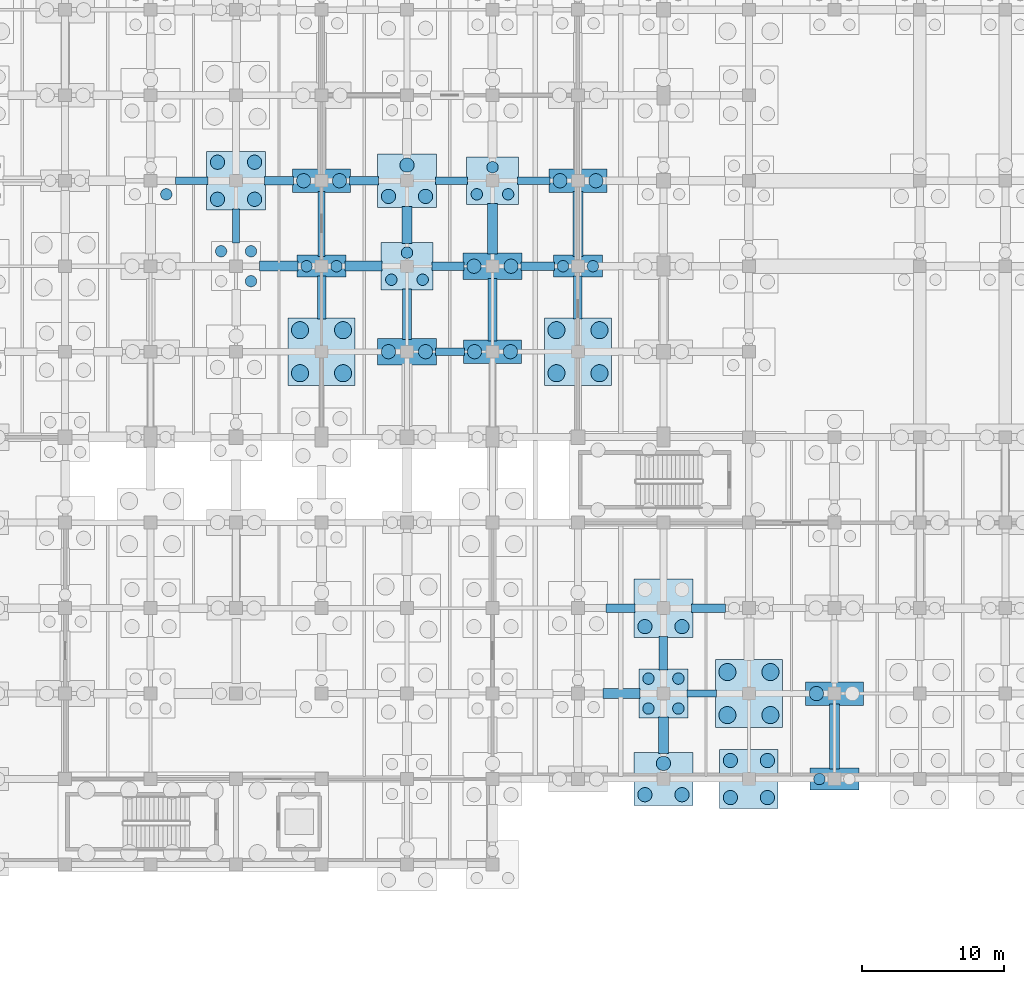
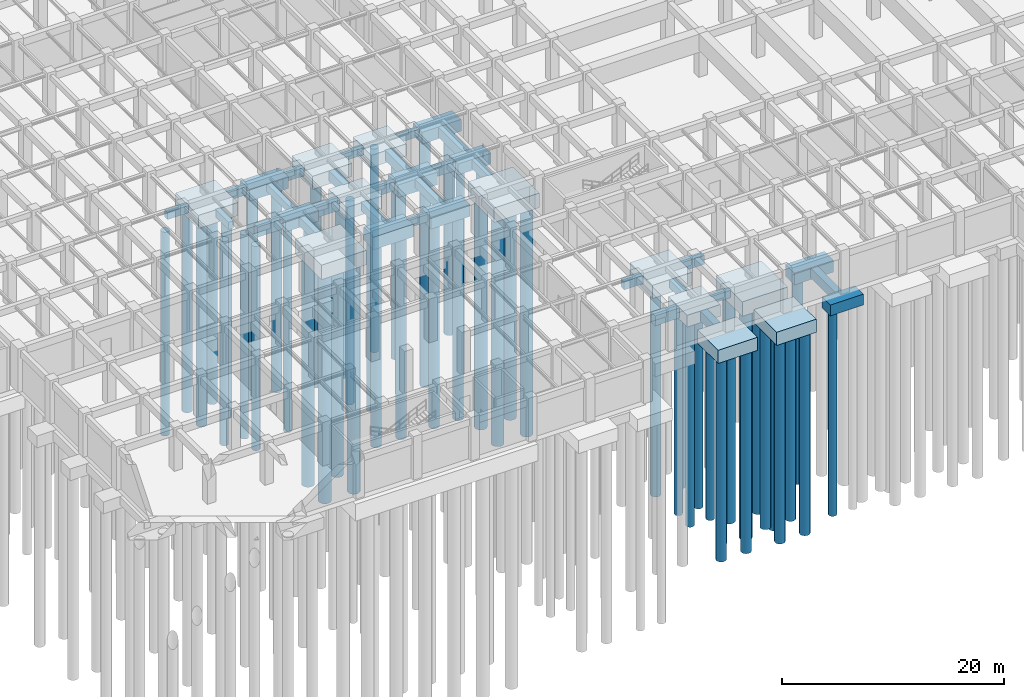
# One storey, part 4 of 54: 58 piles, 46 footings.
"""IFC4 building model written with IfcOpenShell, lengths in metres."""

from ifc_helpers import new_model, si_unit, direction, frame, origin, origin_2d, place, context, subcontext, project, spatial, rectangle, circle, extrude, material, material_profile, profile_set, type_object, element, save


model = new_model("IFC4")

# Units and contexts
model_context = context("Model", 3, precision=1e-05, world=origin(), true_north=direction((0.0, 1.0)))
body_context = subcontext(model_context, "Body", "Model", "MODEL_VIEW")
ifc_project = project(units=[si_unit("LENGTHUNIT", "METRE"), si_unit("AREAUNIT", "SQUARE_METRE"), si_unit("VOLUMEUNIT", "CUBIC_METRE"), si_unit("PLANEANGLEUNIT", "RADIAN"), si_unit("MASSUNIT", "GRAM", prefix="KILO"), si_unit("THERMODYNAMICTEMPERATUREUNIT", "KELVIN"), si_unit("POWERUNIT", "WATT")], contexts=[model_context])

# Site, building, storey
site_placement = place(None, origin())
site = spatial("IfcSite", under=ifc_project, at=site_placement, CompositionType="ELEMENT")
building_placement = place(site_placement, origin())
building = spatial("IfcBuilding", under=site, at=building_placement, Name="Phaisarnlok Congress Hotel", CompositionType="ELEMENT")
storey_placement = place(building_placement, frame((0.0, 0.0, -4.800048828125)))
storey = spatial("IfcBuildingStorey", under=building, at=storey_placement, Name="B01", CompositionType="ELEMENT", Elevation=-4.800048828125)

# Footings
ifc_material_1 = material(Name="Concrete C40/50", Category="concrete")
footing_type_1 = type_object("IfcFootingType", Name="CAP-2P-A", PredefinedType="PILE_CAP", material=ifc_material_1)
for number, where, z_axis, x_axis, name in (
    (1, (42.0, 54.0, -1.69970703125), (0.0, 0.0, 1.0), (1.0, 0.0, 0.0), "Pile cap PC-01 at (42,54)"),
    (2, (60.0, 54.0, -1.69970703125), (0.0, 0.0, 1.0), (1.0, 0.0, 0.0), "Pile cap PC-01 at (60,54)"),
    (3, (78.0, 18.0, -1.69970703125), (0.0, 0.0, 1.0), (1.0, 0.0, 0.0), "Pile cap PC-01 at (78,18)"),
):
    element("IfcFooting", number, at=place(storey_placement, frame(where, z_axis=z_axis, x_axis=x_axis)), inside=storey, type_object=footing_type_1, Name=name, PredefinedType="PILE_CAP", context=body_context, shape_type="SweptSolid", body=[
        extrude(rectangle(XDim=3.43994140625, YDim=1.5400390625, at=origin_2d()), origin(), (0.0, 0.0, 1.0), 1.199951171875),
    ])
footing_type_2 = type_object("IfcFootingType", Name="CAP-2P-B", PredefinedType="PILE_CAP", material=ifc_material_1)
for number, where, z_axis, x_axis, name in (
    (4, (42.0, 60.0, -1.7998046875), (0.0, 0.0, 1.0), (1.0, 0.0, 0.0), "Pile cap PC-02 at (42,60)"),
    (5, (54.0, 48.0, -1.7998046875), (0.0, 0.0, 1.0), (1.0, 0.0, 0.0), "Pile cap PC-02 at (54,48)"),
    (6, (60.0, 60.0, -1.7998046875), (0.0, 0.0, 1.0), (1.0, 0.0, 0.0), "Pile cap PC-02 at (60,60)"),
    (7, (78.0, 24.0, -1.7998046875), (0.0, 0.0, 1.0), (1.0, 0.0, 0.0), "Pile cap PC-02 at (78,24)"),
):
    element("IfcFooting", number, at=place(storey_placement, frame(where, z_axis=z_axis, x_axis=x_axis)), inside=storey, type_object=footing_type_2, Name=name, PredefinedType="PILE_CAP", context=body_context, shape_type="SweptSolid", body=[
        extrude(rectangle(XDim=4.080078125, YDim=1.639892578125, at=origin_2d()), origin(), (0.0, 0.0, 1.0), 1.300048828125),
    ])
footing_type_3 = type_object("IfcFootingType", Name="CAP-2P-C", PredefinedType="PILE_CAP", material=ifc_material_1)
for number, where, z_axis, x_axis, name in (
    (8, (48.0, 48.0, -1.89990234375), (0.0, 0.0, 1.0), (1.0, 0.0, 0.0), "Pile cap PC-03 at (48,48)"),
    (9, (54.0, 54.0, -1.89990234375), (0.0, 0.0, 1.0), (1.0, 0.0, 0.0), "Pile cap PC-03 at (54,54)"),
):
    element("IfcFooting", number, at=place(storey_placement, frame(where, z_axis=z_axis, x_axis=x_axis)), inside=storey, type_object=footing_type_3, Name=name, PredefinedType="PILE_CAP", context=body_context, shape_type="SweptSolid", body=[
        extrude(rectangle(XDim=4.1201171875, YDim=1.840087890625, at=origin_2d()), origin(), (0.0, 0.0, 1.0), 1.39990234375),
    ])
footing_type_4 = type_object("IfcFootingType", Name="CAP-3P-A", PredefinedType="PILE_CAP", material=ifc_material_1)
for number, where, z_axis, x_axis, name in (
    (10, (48.0, 54.0, -1.85009765625), (0.0, 0.0, 1.0), (1.0, 0.0, 0.0), "Pile cap PC-04 at (48,54)"),
    (11, (54.0, 60.0, -1.85009765625), (0.0, 0.0, 1.0), (1.0, 0.0, 0.0), "Pile cap PC-04 at (54,60)"),
):
    element("IfcFooting", number, at=place(storey_placement, frame(where, z_axis=z_axis, x_axis=x_axis)), inside=storey, type_object=footing_type_4, Name=name, PredefinedType="PILE_CAP", context=body_context, shape_type="SweptSolid", body=[
        extrude(rectangle(XDim=3.639892578125, YDim=3.340087890625, at=origin_2d()), origin(), (0.0, 0.0, 1.0), 1.35009765625),
    ])
footing_type_5 = type_object("IfcFootingType", Name="CAP-3P-B", PredefinedType="PILE_CAP", material=ifc_material_1)
for number, where, z_axis, x_axis, name in (
    (12, (48.0, 60.0, -1.94970703125), (0.0, 0.0, 1.0), (1.0, 0.0, 0.0), "Pile cap PC-05 at (48,60)"),
    (13, (66.0, 18.0, -1.94970703125), (0.0, 0.0, 1.0), (1.0, 0.0, 0.0), "Pile cap PC-05 at (66,18)"),
):
    element("IfcFooting", number, at=place(storey_placement, frame(where, z_axis=z_axis, x_axis=x_axis)), inside=storey, type_object=footing_type_5, Name=name, PredefinedType="PILE_CAP", context=body_context, shape_type="SweptSolid", body=[
        extrude(rectangle(XDim=4.1201171875, YDim=3.739990234375, at=origin_2d()), origin(), (0.0, 0.0, 1.0), 1.449951171875),
    ])
footing_type_6 = type_object("IfcFootingType", Name="CAP-4P-A", PredefinedType="PILE_CAP", material=ifc_material_1)
footing_1_placement = place(storey_placement, frame((66.0, 24.0, -1.7998046875), z_axis=(0.0, 0.0, 1.0), x_axis=(1.0, 0.0, 0.0)))
element("IfcFooting", 14, at=footing_1_placement, inside=storey, type_object=footing_type_6, Name="Pile cap PC-06 at (66,24)", PredefinedType="PILE_CAP", context=body_context, shape_type="SweptSolid", body=[
    extrude(rectangle(XDim=3.43994140625, YDim=3.43994140625, at=origin_2d()), origin(), (0.0, 0.0, 1.0), 1.300048828125),
])
footing_type_7 = type_object("IfcFootingType", Name="CAP-4P-B", PredefinedType="PILE_CAP", material=ifc_material_1)
for number, where, z_axis, x_axis, name in (
    (15, (36.0, 60.0, -1.94970703125), (0.0, 0.0, 1.0), (1.0, 0.0, 0.0), "Pile cap PC-07 at (36,60)"),
    (16, (66.0, 30.0, -1.94970703125), (0.0, 0.0, 1.0), (1.0, 0.0, 0.0), "Pile cap PC-07 at (66,30)"),
    (17, (72.0, 18.0, -1.94970703125), (0.0, 0.0, 1.0), (1.0, 0.0, 0.0), "Pile cap PC-07 at (72,18)"),
):
    element("IfcFooting", number, at=place(storey_placement, frame(where, z_axis=z_axis, x_axis=x_axis)), inside=storey, type_object=footing_type_7, Name=name, PredefinedType="PILE_CAP", context=body_context, shape_type="SweptSolid", body=[
        extrude(rectangle(XDim=4.1201171875, YDim=4.1201171875, at=origin_2d()), origin(), (0.0, 0.0, 1.0), 1.449951171875),
    ])
footing_type_8 = type_object("IfcFootingType", Name="CAP-4P-C", PredefinedType="PILE_CAP", material=ifc_material_1)
for number, where, z_axis, x_axis, name in (
    (18, (42.0, 48.0, -2.10009765625), (0.0, 0.0, 1.0), (1.0, 0.0, 0.0), "Pile cap PC-08 at (42,48)"),
    (19, (60.0, 48.0, -2.10009765625), (0.0, 0.0, 1.0), (1.0, 0.0, 0.0), "Pile cap PC-08 at (60,48)"),
    (20, (72.0, 24.0, -2.10009765625), (0.0, 0.0, 1.0), (1.0, 0.0, 0.0), "Pile cap PC-08 at (72,24)"),
):
    element("IfcFooting", number, at=place(storey_placement, frame(where, z_axis=z_axis, x_axis=x_axis)), inside=storey, type_object=footing_type_8, Name=name, PredefinedType="PILE_CAP", context=body_context, shape_type="SweptSolid", body=[
        extrude(rectangle(XDim=4.719970703125, YDim=4.760009765625, at=origin_2d()), origin(), (0.0, 0.0, 1.0), 1.60009765625),
    ])
ifc_material_profile_1 = material_profile(ifc_material_1, rectangle(XDim=0.5, YDim=0.800048828125, at=origin_2d()), Name="FB-500x800")
ifc_profile_set_1 = profile_set([ifc_material_profile_1], Name="Concrete C40/50")
footing_type_9 = type_object("IfcFootingType", Name="FB-500x800", PredefinedType="FOOTING_BEAM", material=ifc_profile_set_1)
footing_2_placement = place(storey_placement, frame((31.7451171875, 60.0, -0.89990234375), z_axis=(1.0, 0.0, 0.0), x_axis=(0.0, 1.0, 0.0)))
element("IfcFooting", 21, at=footing_2_placement, inside=storey, type_object=footing_type_9, Name="Ground tie beam FB-01", PredefinedType="FOOTING_BEAM", context=body_context, shape_type="SweptSolid", body=[
    extrude(rectangle(XDim=0.5, YDim=0.800048828125, at=origin_2d()), origin(), (0.0, 0.0, 1.0), 2.269775390625),
])
footing_3_placement = place(storey_placement, frame((36.0, 55.64501953125, -0.89990234375), z_axis=(0.0, 1.0, 0.0), x_axis=(-1.0, 0.0, 0.0)))
element("IfcFooting", 22, at=footing_3_placement, inside=storey, type_object=footing_type_9, Name="Ground tie beam FB-01", PredefinedType="FOOTING_BEAM", context=body_context, shape_type="SweptSolid", body=[
    extrude(rectangle(XDim=0.5, YDim=0.800048828125, at=origin_2d()), origin(), (0.0, 0.0, 1.0), 2.369873046875),
])
footing_4_placement = place(storey_placement, frame((42.0, 54.695068359375, -0.89990234375), z_axis=(0.0, 1.0, 0.0), x_axis=(-1.0, 0.0, 0.0)))
element("IfcFooting", 23, at=footing_4_placement, inside=storey, type_object=footing_type_9, Name="Ground tie beam FB-01", PredefinedType="FOOTING_BEAM", context=body_context, shape_type="SweptSolid", body=[
    extrude(rectangle(XDim=0.5, YDim=0.800048828125, at=origin_2d()), origin(), (0.0, 0.0, 1.0), 4.559814453125),
])
footing_5_placement = place(storey_placement, frame((49.985107421875, 48.0, -0.89990234375), z_axis=(1.0, 0.0, 0.0), x_axis=(0.0, 1.0, 0.0)))
element("IfcFooting", 24, at=footing_5_placement, inside=storey, type_object=footing_type_9, Name="Ground tie beam FB-01", PredefinedType="FOOTING_BEAM", context=body_context, shape_type="SweptSolid", body=[
    extrude(rectangle(XDim=0.5, YDim=0.800048828125, at=origin_2d()), origin(), (0.0, 0.0, 1.0), 2.0498046875),
])
footing_6_placement = place(storey_placement, frame((49.985107421875, 60.0, -0.89990234375), z_axis=(1.0, 0.0, 0.0), x_axis=(0.0, 1.0, 0.0)))
element("IfcFooting", 25, at=footing_6_placement, inside=storey, type_object=footing_type_9, Name="Ground tie beam FB-01", PredefinedType="FOOTING_BEAM", context=body_context, shape_type="SweptSolid", body=[
    extrude(rectangle(XDim=0.5, YDim=0.800048828125, at=origin_2d()), origin(), (0.0, 0.0, 1.0), 2.269775390625),
])
footing_7_placement = place(storey_placement, frame((55.7451171875, 60.0, -0.89990234375), z_axis=(1.0, 0.0, 0.0), x_axis=(0.0, 1.0, 0.0)))
element("IfcFooting", 26, at=footing_7_placement, inside=storey, type_object=footing_type_9, Name="Ground tie beam FB-01", PredefinedType="FOOTING_BEAM", context=body_context, shape_type="SweptSolid", body=[
    extrude(rectangle(XDim=0.5, YDim=0.800048828125, at=origin_2d()), origin(), (0.0, 0.0, 1.0), 2.289794921875),
])
footing_8_placement = place(storey_placement, frame((67.64501953125, 24.0, -0.89990234375), z_axis=(1.0, 0.0, 0.0), x_axis=(0.0, 1.0, 0.0)))
element("IfcFooting", 27, at=footing_8_placement, inside=storey, type_object=footing_type_9, Name="Ground tie beam FB-01", PredefinedType="FOOTING_BEAM", context=body_context, shape_type="SweptSolid", body=[
    extrude(rectangle(XDim=0.5, YDim=0.800048828125, at=origin_2d()), origin(), (0.0, 0.0, 1.0), 2.070068359375),
])
ifc_material_profile_2 = material_profile(ifc_material_1, rectangle(XDim=0.60009765625, YDim=1.0, at=origin_2d()), Name="FB-600x1000")
ifc_profile_set_2 = profile_set([ifc_material_profile_2], Name="Concrete C40/50")
footing_type_10 = type_object("IfcFootingType", Name="FB-600x1000", PredefinedType="FOOTING_BEAM", material=ifc_profile_set_2)
footing_9_placement = place(storey_placement, frame((42.0, 50.304931640625, -1.0), z_axis=(0.0, 1.0, 0.0), x_axis=(-1.0, 0.0, 0.0)))
element("IfcFooting", 28, at=footing_9_placement, inside=storey, type_object=footing_type_10, Name="Ground tie beam FB-03", PredefinedType="FOOTING_BEAM", context=body_context, shape_type="SweptSolid", body=[
    extrude(rectangle(XDim=0.60009765625, YDim=1.0, at=origin_2d()), origin(), (0.0, 0.0, 1.0), 3.0),
])
footing_10_placement = place(storey_placement, frame((49.7451171875, 54.0, -1.0), z_axis=(1.0, 0.0, 0.0), x_axis=(0.0, 1.0, 0.0)))
element("IfcFooting", 29, at=footing_10_placement, inside=storey, type_object=footing_type_10, Name="Ground tie beam FB-03", PredefinedType="FOOTING_BEAM", context=body_context, shape_type="SweptSolid", body=[
    extrude(rectangle(XDim=0.60009765625, YDim=1.0, at=origin_2d()), origin(), (0.0, 0.0, 1.0), 2.269775390625),
])
footing_11_placement = place(storey_placement, frame((55.985107421875, 54.0, -1.0), z_axis=(1.0, 0.0, 0.0), x_axis=(0.0, 1.0, 0.0)))
element("IfcFooting", 30, at=footing_11_placement, inside=storey, type_object=footing_type_10, Name="Ground tie beam FB-03", PredefinedType="FOOTING_BEAM", context=body_context, shape_type="SweptSolid", body=[
    extrude(rectangle(XDim=0.60009765625, YDim=1.0, at=origin_2d()), origin(), (0.0, 0.0, 1.0), 2.369873046875),
])
footing_12_placement = place(storey_placement, frame((60.0, 50.304931640625, -1.0), z_axis=(0.0, 1.0, 0.0), x_axis=(-1.0, 0.0, 0.0)))
element("IfcFooting", 31, at=footing_12_placement, inside=storey, type_object=footing_type_10, Name="Ground tie beam FB-03", PredefinedType="FOOTING_BEAM", context=body_context, shape_type="SweptSolid", body=[
    extrude(rectangle(XDim=0.60009765625, YDim=1.0, at=origin_2d()), origin(), (0.0, 0.0, 1.0), 3.0),
])
footing_13_placement = place(storey_placement, frame((67.985107421875, 30.0, -1.0), z_axis=(1.0, 0.0, 0.0), x_axis=(0.0, 1.0, 0.0)))
element("IfcFooting", 32, at=footing_13_placement, inside=storey, type_object=footing_type_10, Name="Ground tie beam FB-03", PredefinedType="FOOTING_BEAM", context=body_context, shape_type="SweptSolid", body=[
    extrude(rectangle(XDim=0.60009765625, YDim=1.0, at=origin_2d()), origin(), (0.0, 0.0, 1.0), 2.369873046875),
])
ifc_material_profile_3 = material_profile(ifc_material_1, rectangle(XDim=0.60009765625, YDim=0.89990234375, at=origin_2d()), Name="FB-600x900")
ifc_profile_set_3 = profile_set([ifc_material_profile_3], Name="Concrete C40/50")
footing_type_11 = type_object("IfcFootingType", Name="FB-600x900", PredefinedType="FOOTING_BEAM", material=ifc_profile_set_3)
for number, where, z_axis, x_axis, name in (
    (33, (37.985107421875, 60.0, -0.949951171875), (1.0, 0.0, 0.0), (0.0, 1.0, 0.0), "Ground tie beam FB-02"),
    (34, (43.965087890625, 60.0, -0.949951171875), (1.0, 0.0, 0.0), (0.0, 1.0, 0.0), "Ground tie beam FB-02"),
):
    element("IfcFooting", number, at=place(storey_placement, frame(where, z_axis=z_axis, x_axis=x_axis)), inside=storey, type_object=footing_type_11, Name=name, PredefinedType="FOOTING_BEAM", context=body_context, shape_type="SweptSolid", body=[
        extrude(rectangle(XDim=0.60009765625, YDim=0.89990234375, at=origin_2d()), origin(), (0.0, 0.0, 1.0), 2.0498046875),
    ])
footing_14_placement = place(storey_placement, frame((48.0, 48.844970703125, -0.949951171875), z_axis=(0.0, 1.0, 0.0), x_axis=(-1.0, 0.0, 0.0)))
element("IfcFooting", 35, at=footing_14_placement, inside=storey, type_object=footing_type_11, Name="Ground tie beam FB-02", PredefinedType="FOOTING_BEAM", context=body_context, shape_type="SweptSolid", body=[
    extrude(rectangle(XDim=0.60009765625, YDim=0.89990234375, at=origin_2d()), origin(), (0.0, 0.0, 1.0), 3.56005859375),
])
footing_15_placement = place(storey_placement, frame((54.0, 48.7451171875, -0.949951171875), z_axis=(0.0, 1.0, 0.0), x_axis=(-1.0, 0.0, 0.0)))
element("IfcFooting", 36, at=footing_15_placement, inside=storey, type_object=footing_type_11, Name="Ground tie beam FB-02", PredefinedType="FOOTING_BEAM", context=body_context, shape_type="SweptSolid", body=[
    extrude(rectangle(XDim=0.60009765625, YDim=0.89990234375, at=origin_2d()), origin(), (0.0, 0.0, 1.0), 4.409912109375),
])
footing_16_placement = place(storey_placement, frame((61.985107421875, 30.0, -0.949951171875), z_axis=(1.0, 0.0, 0.0), x_axis=(0.0, 1.0, 0.0)))
element("IfcFooting", 37, at=footing_16_placement, inside=storey, type_object=footing_type_11, Name="Ground tie beam FB-02", PredefinedType="FOOTING_BEAM", context=body_context, shape_type="SweptSolid", body=[
    extrude(rectangle(XDim=0.60009765625, YDim=0.89990234375, at=origin_2d()), origin(), (0.0, 0.0, 1.0), 2.02978515625),
])
footing_17_placement = place(storey_placement, frame((66.0, 25.64501953125, -0.949951171875), z_axis=(0.0, 1.0, 0.0), x_axis=(-1.0, 0.0, 0.0)))
element("IfcFooting", 38, at=footing_17_placement, inside=storey, type_object=footing_type_11, Name="Ground tie beam FB-02", PredefinedType="FOOTING_BEAM", context=body_context, shape_type="SweptSolid", body=[
    extrude(rectangle(XDim=0.60009765625, YDim=0.89990234375, at=origin_2d()), origin(), (0.0, 0.0, 1.0), 2.369873046875),
])
ifc_material_profile_4 = material_profile(ifc_material_1, rectangle(XDim=0.699951171875, YDim=1.10009765625, at=origin_2d()), Name="FB-700x1100")
ifc_profile_set_4 = profile_set([ifc_material_profile_4], Name="Concrete C40/50")
footing_type_12 = type_object("IfcFootingType", Name="FB-700x1100", PredefinedType="FOOTING_BEAM", material=ifc_profile_set_4)
footing_18_placement = place(storey_placement, frame((37.64501953125, 54.0, -1.050048828125), z_axis=(1.0, 0.0, 0.0), x_axis=(0.0, 1.0, 0.0)))
element("IfcFooting", 39, at=footing_18_placement, inside=storey, type_object=footing_type_12, Name="Ground tie beam FB-04", PredefinedType="FOOTING_BEAM", context=body_context, shape_type="SweptSolid", body=[
    extrude(rectangle(XDim=0.699951171875, YDim=1.10009765625, at=origin_2d()), origin(), (0.0, 0.0, 1.0), 2.7099609375),
])
footing_19_placement = place(storey_placement, frame((43.64501953125, 54.0, -1.050048828125), z_axis=(1.0, 0.0, 0.0), x_axis=(0.0, 1.0, 0.0)))
element("IfcFooting", 40, at=footing_19_placement, inside=storey, type_object=footing_type_12, Name="Ground tie beam FB-04", PredefinedType="FOOTING_BEAM", context=body_context, shape_type="SweptSolid", body=[
    extrude(rectangle(XDim=0.699951171875, YDim=1.10009765625, at=origin_2d()), origin(), (0.0, 0.0, 1.0), 2.60986328125),
])
footing_20_placement = place(storey_placement, frame((48.0, 55.594970703125, -1.050048828125), z_axis=(0.0, 1.0, 0.0), x_axis=(-1.0, 0.0, 0.0)))
element("IfcFooting", 41, at=footing_20_placement, inside=storey, type_object=footing_type_12, Name="Ground tie beam FB-04", PredefinedType="FOOTING_BEAM", context=body_context, shape_type="SweptSolid", body=[
    extrude(rectangle(XDim=0.699951171875, YDim=1.10009765625, at=origin_2d()), origin(), (0.0, 0.0, 1.0), 2.610107421875),
])
footing_21_placement = place(storey_placement, frame((54.0, 54.844970703125, -1.050048828125), z_axis=(0.0, 1.0, 0.0), x_axis=(-1.0, 0.0, 0.0)))
element("IfcFooting", 42, at=footing_21_placement, inside=storey, type_object=footing_type_12, Name="Ground tie beam FB-04", PredefinedType="FOOTING_BEAM", context=body_context, shape_type="SweptSolid", body=[
    extrude(rectangle(XDim=0.699951171875, YDim=1.10009765625, at=origin_2d()), origin(), (0.0, 0.0, 1.0), 3.56005859375),
])
footing_22_placement = place(storey_placement, frame((61.7451171875, 24.0, -1.050048828125), z_axis=(1.0, 0.0, 0.0), x_axis=(0.0, 1.0, 0.0)))
element("IfcFooting", 43, at=footing_22_placement, inside=storey, type_object=footing_type_12, Name="Ground tie beam FB-04", PredefinedType="FOOTING_BEAM", context=body_context, shape_type="SweptSolid", body=[
    extrude(rectangle(XDim=0.699951171875, YDim=1.10009765625, at=origin_2d()), origin(), (0.0, 0.0, 1.0), 2.60986328125),
])
footing_23_placement = place(storey_placement, frame((60.0, 54.695068359375, -1.050048828125), z_axis=(0.0, 1.0, 0.0), x_axis=(-1.0, 0.0, 0.0)))
element("IfcFooting", 44, at=footing_23_placement, inside=storey, type_object=footing_type_12, Name="Ground tie beam FB-04", PredefinedType="FOOTING_BEAM", context=body_context, shape_type="SweptSolid", body=[
    extrude(rectangle(XDim=0.699951171875, YDim=1.10009765625, at=origin_2d()), origin(), (0.0, 0.0, 1.0), 4.559814453125),
])
footing_24_placement = place(storey_placement, frame((66.0, 19.794921875, -1.050048828125), z_axis=(0.0, 1.0, 0.0), x_axis=(-1.0, 0.0, 0.0)))
element("IfcFooting", 45, at=footing_24_placement, inside=storey, type_object=footing_type_12, Name="Ground tie beam FB-04", PredefinedType="FOOTING_BEAM", context=body_context, shape_type="SweptSolid", body=[
    extrude(rectangle(XDim=0.699951171875, YDim=1.10009765625, at=origin_2d()), origin(), (0.0, 0.0, 1.0), 2.56005859375),
])
footing_25_placement = place(storey_placement, frame((78.0, 18.695068359375, -1.050048828125), z_axis=(0.0, 1.0, 0.0), x_axis=(-1.0, 0.0, 0.0)))
element("IfcFooting", 46, at=footing_25_placement, inside=storey, type_object=footing_type_12, Name="Ground tie beam FB-04", PredefinedType="FOOTING_BEAM", context=body_context, shape_type="SweptSolid", body=[
    extrude(rectangle(XDim=0.699951171875, YDim=1.10009765625, at=origin_2d()), origin(), (0.0, 0.0, 1.0), 4.559814453125),
])

# Piles
ifc_material_2 = material(Name="Concrete C35/45", Category="concrete")
ifc_material_profile_5 = material_profile(ifc_material_2, circle(Radius=0.5, at=origin_2d()), Name="BORED PILE D1000")
ifc_profile_set_5 = profile_set([ifc_material_profile_5], Name="Concrete C35/45")
pile_type_1 = type_object("IfcPileType", Name="PILE-D1000", PredefinedType="BORED", material=ifc_profile_set_5)
for number, where, z_axis, x_axis, name in (
    (47, (34.699951171875, 58.699951171875, -1.849853515625), (0.0, 0.0, -1.0), (1.0, 0.0, 0.0), "Bored pile PL-02 (FTG-B01-036-060-1)"),
    (48, (37.300048828125, 58.699951171875, -1.849853515625), (0.0, 0.0, -1.0), (1.0, 0.0, 0.0), "Bored pile PL-02 (FTG-B01-036-060-2)"),
    (49, (34.699951171875, 61.300048828125, -1.849853515625), (0.0, 0.0, -1.0), (1.0, 0.0, 0.0), "Bored pile PL-02 (FTG-B01-036-060-3)"),
    (50, (37.300048828125, 61.300048828125, -1.849853515625), (0.0, 0.0, -1.0), (1.0, 0.0, 0.0), "Bored pile PL-02 (FTG-B01-036-060-4)"),
):
    element("IfcPile", number, at=place(storey_placement, frame(where, z_axis=z_axis, x_axis=x_axis)), inside=storey, type_object=pile_type_1, Name=name, PredefinedType="BORED", context=body_context, shape_type="SweptSolid", body=[
        extrude(circle(Radius=0.5, at=origin_2d()), origin(), (0.0, 0.0, 1.0), 22.35009765625),
    ])
for number, where, z_axis, x_axis, name in (
    (51, (40.739990234375, 60.0, -1.699951171875), (0.0, 0.0, -1.0), (1.0, 0.0, 0.0), "Bored pile PL-02 (FTG-B01-042-060-1)"),
    (52, (43.260009765625, 60.0, -1.699951171875), (0.0, 0.0, -1.0), (1.0, 0.0, 0.0), "Bored pile PL-02 (FTG-B01-042-060-2)"),
):
    element("IfcPile", number, at=place(storey_placement, frame(where, z_axis=z_axis, x_axis=x_axis)), inside=storey, type_object=pile_type_1, Name=name, PredefinedType="BORED", context=body_context, shape_type="SweptSolid", body=[
        extrude(circle(Radius=0.5, at=origin_2d()), origin(), (0.0, 0.0, 1.0), 22.5),
    ])
for number, where, z_axis, x_axis, name in (
    (53, (46.699951171875, 48.0, -1.800048828125), (0.0, 0.0, -1.0), (1.0, 0.0, 0.0), "Bored pile PL-02 (FTG-B01-048-048-1)"),
    (54, (49.300048828125, 48.0, -1.800048828125), (0.0, 0.0, -1.0), (1.0, 0.0, 0.0), "Bored pile PL-02 (FTG-B01-048-048-2)"),
):
    element("IfcPile", number, at=place(storey_placement, frame(where, z_axis=z_axis, x_axis=x_axis)), inside=storey, type_object=pile_type_1, Name=name, PredefinedType="BORED", context=body_context, shape_type="SweptSolid", body=[
        extrude(circle(Radius=0.5, at=origin_2d()), origin(), (0.0, 0.0, 1.0), 22.39990234375),
    ])
for number, where, z_axis, x_axis, name in (
    (55, (46.699951171875, 58.89990234375, -1.849853515625), (0.0, 0.0, -1.0), (1.0, 0.0, 0.0), "Bored pile PL-02 (FTG-B01-048-060-1)"),
    (56, (49.300048828125, 58.89990234375, -1.849853515625), (0.0, 0.0, -1.0), (1.0, 0.0, 0.0), "Bored pile PL-02 (FTG-B01-048-060-2)"),
    (57, (48.0, 61.10009765625, -1.849853515625), (0.0, 0.0, -1.0), (1.0, 0.0, 0.0), "Bored pile PL-02 (FTG-B01-048-060-3)"),
):
    element("IfcPile", number, at=place(storey_placement, frame(where, z_axis=z_axis, x_axis=x_axis)), inside=storey, type_object=pile_type_1, Name=name, PredefinedType="BORED", context=body_context, shape_type="SweptSolid", body=[
        extrude(circle(Radius=0.5, at=origin_2d()), origin(), (0.0, 0.0, 1.0), 22.35009765625),
    ])
for number, where, z_axis, x_axis, name in (
    (58, (52.739990234375, 48.0, -1.699951171875), (0.0, 0.0, -1.0), (1.0, 0.0, 0.0), "Bored pile PL-02 (FTG-B01-054-048-1)"),
    (59, (55.260009765625, 48.0, -1.699951171875), (0.0, 0.0, -1.0), (1.0, 0.0, 0.0), "Bored pile PL-02 (FTG-B01-054-048-2)"),
):
    element("IfcPile", number, at=place(storey_placement, frame(where, z_axis=z_axis, x_axis=x_axis)), inside=storey, type_object=pile_type_1, Name=name, PredefinedType="BORED", context=body_context, shape_type="SweptSolid", body=[
        extrude(circle(Radius=0.5, at=origin_2d()), origin(), (0.0, 0.0, 1.0), 22.5),
    ])
for number, where, z_axis, x_axis, name in (
    (60, (52.699951171875, 54.0, -1.800048828125), (0.0, 0.0, -1.0), (1.0, 0.0, 0.0), "Bored pile PL-02 (FTG-B01-054-054-1)"),
    (61, (55.300048828125, 54.0, -1.800048828125), (0.0, 0.0, -1.0), (1.0, 0.0, 0.0), "Bored pile PL-02 (FTG-B01-054-054-2)"),
):
    element("IfcPile", number, at=place(storey_placement, frame(where, z_axis=z_axis, x_axis=x_axis)), inside=storey, type_object=pile_type_1, Name=name, PredefinedType="BORED", context=body_context, shape_type="SweptSolid", body=[
        extrude(circle(Radius=0.5, at=origin_2d()), origin(), (0.0, 0.0, 1.0), 22.39990234375),
    ])
for number, where, z_axis, x_axis, name in (
    (62, (58.739990234375, 60.0, -1.699951171875), (0.0, 0.0, -1.0), (1.0, 0.0, 0.0), "Bored pile PL-02 (FTG-B01-060-060-1)"),
    (63, (61.260009765625, 60.0, -1.699951171875), (0.0, 0.0, -1.0), (1.0, 0.0, 0.0), "Bored pile PL-02 (FTG-B01-060-060-2)"),
):
    element("IfcPile", number, at=place(storey_placement, frame(where, z_axis=z_axis, x_axis=x_axis)), inside=storey, type_object=pile_type_1, Name=name, PredefinedType="BORED", context=body_context, shape_type="SweptSolid", body=[
        extrude(circle(Radius=0.5, at=origin_2d()), origin(), (0.0, 0.0, 1.0), 22.5),
    ])
for number, where, z_axis, x_axis, name in (
    (64, (64.699951171875, 16.89990234375, -1.849853515625), (0.0, 0.0, -1.0), (1.0, 0.0, 0.0), "Bored pile PL-02 (FTG-B01-066-018-1)"),
    (65, (67.300048828125, 16.89990234375, -1.849853515625), (0.0, 0.0, -1.0), (1.0, 0.0, 0.0), "Bored pile PL-02 (FTG-B01-066-018-2)"),
    (66, (66.0, 19.10009765625, -1.849853515625), (0.0, 0.0, -1.0), (1.0, 0.0, 0.0), "Bored pile PL-02 (FTG-B01-066-018-3)"),
    (67, (64.699951171875, 28.699951171875, -1.849853515625), (0.0, 0.0, -1.0), (1.0, 0.0, 0.0), "Bored pile PL-02 (FTG-B01-066-030-1)"),
    (68, (67.300048828125, 28.699951171875, -1.849853515625), (0.0, 0.0, -1.0), (1.0, 0.0, 0.0), "Bored pile PL-02 (FTG-B01-066-030-2)"),
    (69, (70.699951171875, 16.699951171875, -1.849853515625), (0.0, 0.0, -1.0), (1.0, 0.0, 0.0), "Bored pile PL-02 (FTG-B01-072-018-1)"),
    (70, (73.300048828125, 16.699951171875, -1.849853515625), (0.0, 0.0, -1.0), (1.0, 0.0, 0.0), "Bored pile PL-02 (FTG-B01-072-018-2)"),
    (71, (70.699951171875, 19.300048828125, -1.849853515625), (0.0, 0.0, -1.0), (1.0, 0.0, 0.0), "Bored pile PL-02 (FTG-B01-072-018-3)"),
    (72, (73.300048828125, 19.300048828125, -1.849853515625), (0.0, 0.0, -1.0), (1.0, 0.0, 0.0), "Bored pile PL-02 (FTG-B01-072-018-4)"),
):
    element("IfcPile", number, at=place(storey_placement, frame(where, z_axis=z_axis, x_axis=x_axis)), inside=storey, type_object=pile_type_1, Name=name, PredefinedType="BORED", context=body_context, shape_type="SweptSolid", body=[
        extrude(circle(Radius=0.5, at=origin_2d()), origin(), (0.0, 0.0, 1.0), 22.35009765625),
    ])
pile_1_placement = place(storey_placement, frame((76.739990234375, 24.0, -1.699951171875), z_axis=(0.0, 0.0, -1.0), x_axis=(1.0, 0.0, 0.0)))
element("IfcPile", 73, at=pile_1_placement, inside=storey, type_object=pile_type_1, Name="Bored pile PL-02 (FTG-B01-078-024-1)", PredefinedType="BORED", context=body_context, shape_type="SweptSolid", body=[
    extrude(circle(Radius=0.5, at=origin_2d()), origin(), (0.0, 0.0, 1.0), 22.5),
])
ifc_material_profile_6 = material_profile(ifc_material_2, circle(Radius=0.60009765625, at=origin_2d()), Name="BORED PILE D1200")
ifc_profile_set_6 = profile_set([ifc_material_profile_6], Name="Concrete C35/45")
pile_type_2 = type_object("IfcPileType", Name="PILE-D1200", PredefinedType="BORED", material=ifc_profile_set_6)
for number, where, z_axis, x_axis, name in (
    (74, (40.489990234375, 46.489990234375, -2.0), (0.0, 0.0, -1.0), (1.0, 0.0, 0.0), "Bored pile PL-03 (FTG-B01-042-048-1)"),
    (75, (43.510009765625, 46.489990234375, -2.0), (0.0, 0.0, -1.0), (1.0, 0.0, 0.0), "Bored pile PL-03 (FTG-B01-042-048-2)"),
    (76, (40.489990234375, 49.510009765625, -2.0), (0.0, 0.0, -1.0), (1.0, 0.0, 0.0), "Bored pile PL-03 (FTG-B01-042-048-3)"),
    (77, (43.510009765625, 49.510009765625, -2.0), (0.0, 0.0, -1.0), (1.0, 0.0, 0.0), "Bored pile PL-03 (FTG-B01-042-048-4)"),
    (78, (58.489990234375, 46.489990234375, -2.0), (0.0, 0.0, -1.0), (1.0, 0.0, 0.0), "Bored pile PL-03 (FTG-B01-060-048-1)"),
    (79, (61.510009765625, 46.489990234375, -2.0), (0.0, 0.0, -1.0), (1.0, 0.0, 0.0), "Bored pile PL-03 (FTG-B01-060-048-2)"),
    (80, (58.489990234375, 49.510009765625, -2.0), (0.0, 0.0, -1.0), (1.0, 0.0, 0.0), "Bored pile PL-03 (FTG-B01-060-048-3)"),
    (81, (61.510009765625, 49.510009765625, -2.0), (0.0, 0.0, -1.0), (1.0, 0.0, 0.0), "Bored pile PL-03 (FTG-B01-060-048-4)"),
    (82, (70.489990234375, 22.489990234375, -2.0), (0.0, 0.0, -1.0), (1.0, 0.0, 0.0), "Bored pile PL-03 (FTG-B01-072-024-1)"),
    (83, (73.510009765625, 22.489990234375, -2.0), (0.0, 0.0, -1.0), (1.0, 0.0, 0.0), "Bored pile PL-03 (FTG-B01-072-024-2)"),
    (84, (70.489990234375, 25.510009765625, -2.0), (0.0, 0.0, -1.0), (1.0, 0.0, 0.0), "Bored pile PL-03 (FTG-B01-072-024-3)"),
    (85, (73.510009765625, 25.510009765625, -2.0), (0.0, 0.0, -1.0), (1.0, 0.0, 0.0), "Bored pile PL-03 (FTG-B01-072-024-4)"),
):
    element("IfcPile", number, at=place(storey_placement, frame(where, z_axis=z_axis, x_axis=x_axis)), inside=storey, type_object=pile_type_2, Name=name, PredefinedType="BORED", context=body_context, shape_type="SweptSolid", body=[
        extrude(circle(Radius=0.60009765625, at=origin_2d()), origin(), (0.0, 0.0, 1.0), 25.199951171875),
    ])
ifc_material_profile_7 = material_profile(ifc_material_2, circle(Radius=0.39990234375, at=origin_2d()), Name="BORED PILE D800")
ifc_profile_set_7 = profile_set([ifc_material_profile_7], Name="Concrete C35/45")
pile_type_3 = type_object("IfcPileType", Name="PILE-D800", PredefinedType="BORED", material=ifc_profile_set_7)
pile_2_placement = place(storey_placement, frame((31.10009765625, 59.050048828125, -1.75), z_axis=(0.0, 0.0, -1.0), x_axis=(1.0, 0.0, 0.0)))
element("IfcPile", 86, at=pile_2_placement, inside=storey, type_object=pile_type_3, Name="Bored pile PL-01 (FTG-B01-030-060-2)", PredefinedType="BORED", context=body_context, shape_type="SweptSolid", body=[
    extrude(circle(Radius=0.39990234375, at=origin_2d()), origin(), (0.0, 0.0, 1.0), 22.449951171875),
])
for number, where, z_axis, x_axis, name in (
    (87, (37.050048828125, 52.949951171875, -1.699951171875), (0.0, 0.0, -1.0), (1.0, 0.0, 0.0), "Bored pile PL-01 (FTG-B01-036-054-2)"),
    (88, (34.949951171875, 55.050048828125, -1.699951171875), (0.0, 0.0, -1.0), (1.0, 0.0, 0.0), "Bored pile PL-01 (FTG-B01-036-054-3)"),
    (89, (37.050048828125, 55.050048828125, -1.699951171875), (0.0, 0.0, -1.0), (1.0, 0.0, 0.0), "Bored pile PL-01 (FTG-B01-036-054-4)"),
):
    element("IfcPile", number, at=place(storey_placement, frame(where, z_axis=z_axis, x_axis=x_axis)), inside=storey, type_object=pile_type_3, Name=name, PredefinedType="BORED", context=body_context, shape_type="SweptSolid", body=[
        extrude(circle(Radius=0.39990234375, at=origin_2d()), origin(), (0.0, 0.0, 1.0), 22.5),
    ])
for number, where, z_axis, x_axis, name in (
    (90, (40.949951171875, 54.0, -1.599853515625), (0.0, 0.0, -1.0), (1.0, 0.0, 0.0), "Bored pile PL-01 (FTG-B01-042-054-1)"),
    (91, (43.050048828125, 54.0, -1.599853515625), (0.0, 0.0, -1.0), (1.0, 0.0, 0.0), "Bored pile PL-01 (FTG-B01-042-054-2)"),
):
    element("IfcPile", number, at=place(storey_placement, frame(where, z_axis=z_axis, x_axis=x_axis)), inside=storey, type_object=pile_type_3, Name=name, PredefinedType="BORED", context=body_context, shape_type="SweptSolid", body=[
        extrude(circle(Radius=0.39990234375, at=origin_2d()), origin(), (0.0, 0.0, 1.0), 22.60009765625),
    ])
for number, where, z_axis, x_axis, name in (
    (92, (46.89990234375, 53.050048828125, -1.75), (0.0, 0.0, -1.0), (1.0, 0.0, 0.0), "Bored pile PL-01 (FTG-B01-048-054-1)"),
    (93, (49.10009765625, 53.050048828125, -1.75), (0.0, 0.0, -1.0), (1.0, 0.0, 0.0), "Bored pile PL-01 (FTG-B01-048-054-2)"),
    (94, (48.0, 54.949951171875, -1.75), (0.0, 0.0, -1.0), (1.0, 0.0, 0.0), "Bored pile PL-01 (FTG-B01-048-054-3)"),
    (95, (52.89990234375, 59.050048828125, -1.75), (0.0, 0.0, -1.0), (1.0, 0.0, 0.0), "Bored pile PL-01 (FTG-B01-054-060-1)"),
    (96, (55.10009765625, 59.050048828125, -1.75), (0.0, 0.0, -1.0), (1.0, 0.0, 0.0), "Bored pile PL-01 (FTG-B01-054-060-2)"),
    (97, (54.0, 60.949951171875, -1.75), (0.0, 0.0, -1.0), (1.0, 0.0, 0.0), "Bored pile PL-01 (FTG-B01-054-060-3)"),
):
    element("IfcPile", number, at=place(storey_placement, frame(where, z_axis=z_axis, x_axis=x_axis)), inside=storey, type_object=pile_type_3, Name=name, PredefinedType="BORED", context=body_context, shape_type="SweptSolid", body=[
        extrude(circle(Radius=0.39990234375, at=origin_2d()), origin(), (0.0, 0.0, 1.0), 22.449951171875),
    ])
for number, where, z_axis, x_axis, name in (
    (98, (58.949951171875, 54.0, -1.599853515625), (0.0, 0.0, -1.0), (1.0, 0.0, 0.0), "Bored pile PL-01 (FTG-B01-060-054-1)"),
    (99, (61.050048828125, 54.0, -1.599853515625), (0.0, 0.0, -1.0), (1.0, 0.0, 0.0), "Bored pile PL-01 (FTG-B01-060-054-2)"),
):
    element("IfcPile", number, at=place(storey_placement, frame(where, z_axis=z_axis, x_axis=x_axis)), inside=storey, type_object=pile_type_3, Name=name, PredefinedType="BORED", context=body_context, shape_type="SweptSolid", body=[
        extrude(circle(Radius=0.39990234375, at=origin_2d()), origin(), (0.0, 0.0, 1.0), 22.60009765625),
    ])
for number, where, z_axis, x_axis, name in (
    (100, (64.949951171875, 22.949951171875, -1.699951171875), (0.0, 0.0, -1.0), (1.0, 0.0, 0.0), "Bored pile PL-01 (FTG-B01-066-024-1)"),
    (101, (67.050048828125, 22.949951171875, -1.699951171875), (0.0, 0.0, -1.0), (1.0, 0.0, 0.0), "Bored pile PL-01 (FTG-B01-066-024-2)"),
    (102, (64.949951171875, 25.050048828125, -1.699951171875), (0.0, 0.0, -1.0), (1.0, 0.0, 0.0), "Bored pile PL-01 (FTG-B01-066-024-3)"),
    (103, (67.050048828125, 25.050048828125, -1.699951171875), (0.0, 0.0, -1.0), (1.0, 0.0, 0.0), "Bored pile PL-01 (FTG-B01-066-024-4)"),
):
    element("IfcPile", number, at=place(storey_placement, frame(where, z_axis=z_axis, x_axis=x_axis)), inside=storey, type_object=pile_type_3, Name=name, PredefinedType="BORED", context=body_context, shape_type="SweptSolid", body=[
        extrude(circle(Radius=0.39990234375, at=origin_2d()), origin(), (0.0, 0.0, 1.0), 22.5),
    ])
pile_3_placement = place(storey_placement, frame((76.949951171875, 18.0, -1.599853515625), z_axis=(0.0, 0.0, -1.0), x_axis=(1.0, 0.0, 0.0)))
element("IfcPile", 104, at=pile_3_placement, inside=storey, type_object=pile_type_3, Name="Bored pile PL-01 (FTG-B01-078-018-1)", PredefinedType="BORED", context=body_context, shape_type="SweptSolid", body=[
    extrude(circle(Radius=0.39990234375, at=origin_2d()), origin(), (0.0, 0.0, 1.0), 22.60009765625),
])

save(model, "model.ifc")
